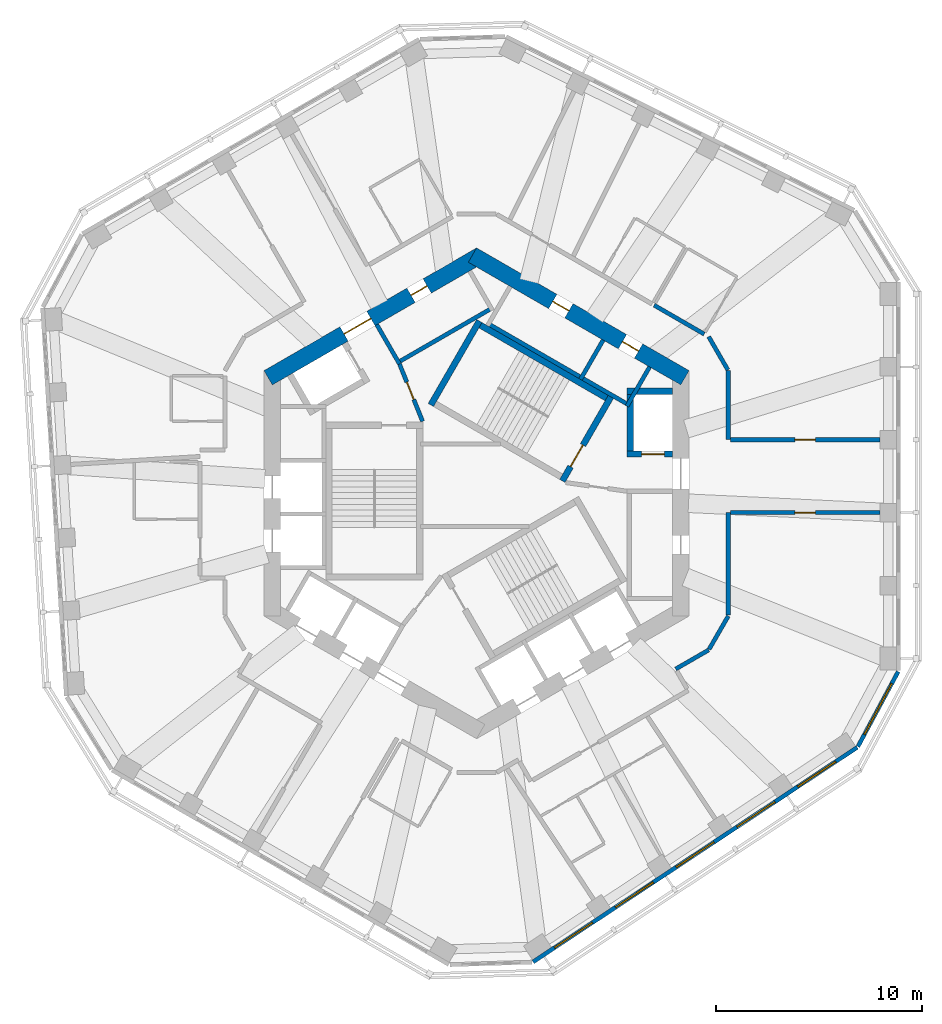
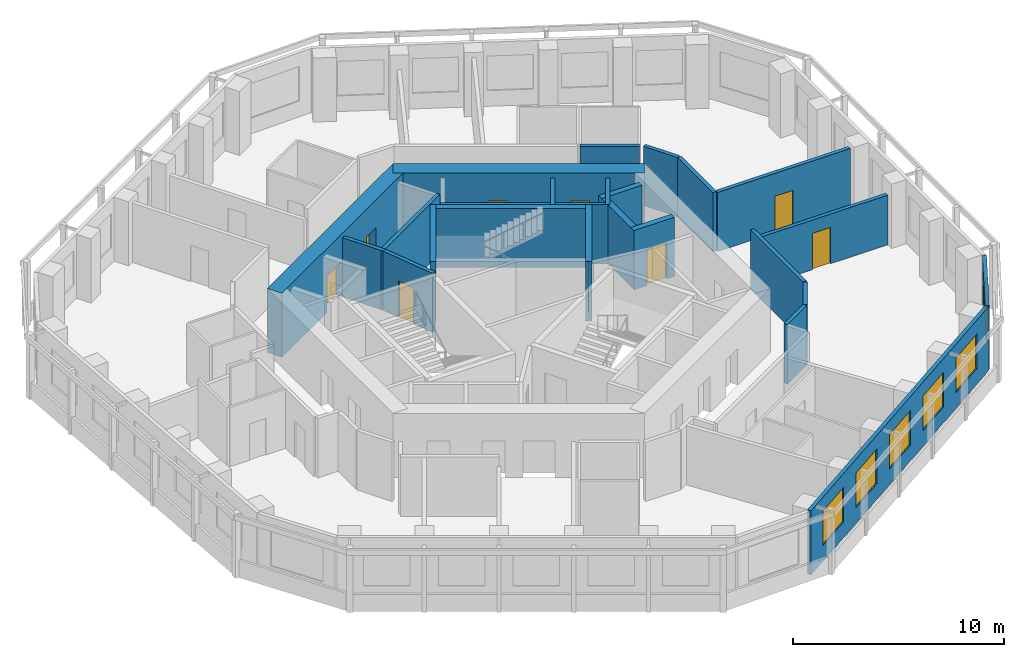
# One storey, part 6 of 11: 24 walls, 9 doors, 6 windows, 15 openings.
"""IFC4 building model written with IfcOpenShell, lengths in metres."""

from ifc_helpers import new_model, si_unit, direction, frame, frame_2d, origin, place, context, subcontext, project, spatial, rectangle, extrude, material, layer, layer_set, type_object, element, fill, save


model = new_model("IFC4")

# Units and contexts
model_context = context("Model", 3, precision=1e-05, world=origin(), true_north=direction((0.0, 1.0)))
body_context = subcontext(model_context, "Body", "Model", "MODEL_VIEW")
ifc_project = project(units=[si_unit("LENGTHUNIT", "METRE"), si_unit("AREAUNIT", "SQUARE_METRE"), si_unit("VOLUMEUNIT", "CUBIC_METRE"), si_unit("PLANEANGLEUNIT", "RADIAN"), si_unit("MASSUNIT", "GRAM", prefix="KILO")], contexts=[model_context])

# Site, building, storey
site_placement = place(None, origin())
site = spatial("IfcSite", under=ifc_project, at=site_placement, CompositionType="ELEMENT")
building_placement = place(site_placement, origin())
building = spatial("IfcBuilding", under=site, at=building_placement, Name="Vanh Sen Convention Tower", CompositionType="ELEMENT")
storey_placement = place(building_placement, frame((0.0, 0.0, 236.5)))
storey = spatial("IfcBuildingStorey", under=building, at=storey_placement, Name="L58", CompositionType="ELEMENT", Elevation=236.5)

# Wall, openings, doors
ifc_material_1 = material(Name="Concrete C60/75", Category="concrete")
ifc_layer_1 = layer(ifc_material_1, 0.800048828125)
ifc_layer_set_1 = layer_set([ifc_layer_1], Name="Concrete C60/75")
wall_type_1 = type_object("IfcWallType", Name="Core outer wall 800 C60/75", PredefinedType="SHEAR", material=ifc_layer_set_1)
wall_1_placement = place(storey_placement, frame((10.10009765625, 5.600341796875, 0.0), z_axis=(0.0, 0.0, 1.0), x_axis=(-0.866023897231, 0.500002609418, 0.0)))
wall_1 = element("IfcWall", 1, at=wall_1_placement, inside=storey, type_object=wall_type_1, Name="Core wall face NE L58", PredefinedType="SHEAR", context=body_context, shape_type="SweptSolid", body=[
    extrude(rectangle(XDim=11.8935546875, YDim=0.800048828125, at=frame_2d((5.94677734375, 0.0))), origin(), (0.0, 0.0, 1.0), 3.699951171875),
])
opening_1_placement = place(wall_1_placement, frame((2.5966796875, 0.0, 0.0)))
opening_1 = element("IfcOpeningElement", 2, at=opening_1_placement, cuts=wall_1, Name="Opening D56011", PredefinedType="OPENING", context=body_context, shape_type="SweptSolid", body=[
    extrude(rectangle(XDim=0.89990234375, YDim=2.10009765625, at=frame_2d((0.449951171875, 1.050048828125))), frame((0.0, 0.409912109375, 0.0), z_axis=(0.0, -1.0, 0.0), x_axis=(1.0, 0.0, 0.0)), (0.0, 0.0, 1.0), 0.820068359375),
])
opening_2_placement = place(wall_1_placement, frame((6.49658203125, 0.0, 0.0)))
opening_2 = element("IfcOpeningElement", 3, at=opening_2_placement, cuts=wall_1, Name="Opening D56012", PredefinedType="OPENING", context=body_context, shape_type="SweptSolid", body=[
    extrude(rectangle(XDim=0.89990234375, YDim=2.10009765625, at=frame_2d((0.449951171875, 1.050048828125))), frame((0.0, 0.409912109375, 0.0), z_axis=(0.0, -1.0, 0.0), x_axis=(1.0, 0.0, 0.0)), (0.0, 0.0, 1.0), 0.820068359375),
])
ifc_material_2 = material(Name="Steel S355", Category="steel")
door_type_1 = type_object("IfcDoorType", Name="Plant door 900", OperationType="SINGLE_SWING_LEFT", PredefinedType="DOOR", material=ifc_material_2)
door_1_placement = place(opening_1_placement, origin())
door_1 = element("IfcDoor", 4, at=door_1_placement, inside=storey, type_object=door_type_1, Name="Plant door D56011", OperationType="SINGLE_SWING_LEFT", OverallHeight=2.10009765625, OverallWidth=0.89990234375, PredefinedType="DOOR", context=body_context, shape_type="SweptSolid", body=[
    extrude(rectangle(XDim=0.89990234375, YDim=2.10009765625, at=frame_2d((0.449951171875, 1.050048828125))), frame((0.0, 0.02490234375, 0.0), z_axis=(0.0, -1.0, 0.0), x_axis=(1.0, 0.0, 0.0)), (0.0, 0.0, 1.0), 0.050048828125),
])
fill(opening_1, door_1)
door_2_placement = place(opening_2_placement, origin())
door_2 = element("IfcDoor", 5, at=door_2_placement, inside=storey, type_object=door_type_1, Name="Plant door D56012", OperationType="SINGLE_SWING_LEFT", OverallHeight=2.10009765625, OverallWidth=0.89990234375, PredefinedType="DOOR", context=body_context, shape_type="SweptSolid", body=[
    extrude(rectangle(XDim=0.89990234375, YDim=2.10009765625, at=frame_2d((0.449951171875, 1.050048828125))), frame((0.0, 0.02490234375, 0.0), z_axis=(0.0, -1.0, 0.0), x_axis=(1.0, 0.0, 0.0)), (0.0, 0.0, 1.0), 0.050048828125),
])
fill(opening_2, door_2)

wall_2_placement = place(storey_placement, frame((0.199951171875, 11.547119140625, 0.0), z_axis=(0.0, 0.0, 1.0), x_axis=(-0.866023897231, -0.500002609418, 0.0)))
wall_2 = element("IfcWall", 6, at=wall_2_placement, inside=storey, type_object=wall_type_1, Name="Core wall face NW L58", PredefinedType="SHEAR", context=body_context, shape_type="SweptSolid", body=[
    extrude(rectangle(XDim=11.8935546875, YDim=0.800048828125, at=frame_2d((5.94677734375, 0.0))), origin(), (0.0, 0.0, 1.0), 3.699951171875),
])
opening_3_placement = place(wall_2_placement, frame((6.146728515625, 0.0, 0.0)))
opening_3 = element("IfcOpeningElement", 7, at=opening_3_placement, cuts=wall_2, Name="Opening D56002", PredefinedType="OPENING", context=body_context, shape_type="SweptSolid", body=[
    extrude(rectangle(XDim=1.5, YDim=2.10009765625, at=frame_2d((0.75, 1.050048828125))), frame((0.0, 0.409912109375, 0.0), z_axis=(0.0, -1.0, 0.0), x_axis=(1.0, 0.0, 0.0)), (0.0, 0.0, 1.0), 0.820068359375),
])
opening_4_placement = place(wall_2_placement, frame((2.99658203125, 0.0, 0.0)))
opening_4 = element("IfcOpeningElement", 8, at=opening_4_placement, cuts=wall_2, Name="Opening D56013", PredefinedType="OPENING", context=body_context, shape_type="SweptSolid", body=[
    extrude(rectangle(XDim=0.89990234375, YDim=2.10009765625, at=frame_2d((0.449951171875, 1.050048828125))), frame((0.0, 0.409912109375, 0.0), z_axis=(0.0, -1.0, 0.0), x_axis=(1.0, 0.0, 0.0)), (0.0, 0.0, 1.0), 0.820068359375),
])
door_3_placement = place(opening_4_placement, origin())
door_3 = element("IfcDoor", 9, at=door_3_placement, inside=storey, type_object=door_type_1, Name="Plant door D56013", OperationType="SINGLE_SWING_LEFT", OverallHeight=2.10009765625, OverallWidth=0.89990234375, PredefinedType="DOOR", context=body_context, shape_type="SweptSolid", body=[
    extrude(rectangle(XDim=0.89990234375, YDim=2.10009765625, at=frame_2d((0.449951171875, 1.050048828125))), frame((0.0, 0.02490234375, 0.0), z_axis=(0.0, -1.0, 0.0), x_axis=(1.0, 0.0, 0.0)), (0.0, 0.0, 1.0), 0.050048828125),
])
fill(opening_4, door_3)
door_type_2 = type_object("IfcDoorType", Name="Stair lobby door 1500", OperationType="DOUBLE_DOOR_SINGLE_SWING", PredefinedType="DOOR", material=ifc_material_2)
door_4_placement = place(opening_3_placement, origin())
door_4 = element("IfcDoor", 10, at=door_4_placement, inside=storey, type_object=door_type_2, Name="Stair lobby door D56002", OperationType="DOUBLE_DOOR_SINGLE_SWING", OverallHeight=2.10009765625, OverallWidth=1.5, PredefinedType="DOOR", context=body_context, shape_type="SweptSolid", body=[
    extrude(rectangle(XDim=1.5, YDim=2.10009765625, at=frame_2d((0.75, 1.050048828125))), frame((0.0, 0.02490234375, 0.0), z_axis=(0.0, -1.0, 0.0), x_axis=(1.0, 0.0, 0.0)), (0.0, 0.0, 1.0), 0.050048828125),
])
fill(opening_3, door_4)

# Walls
ifc_material_3 = material(Name="Gypsum board on steel studs with mineral wool", Category="steel")
ifc_layer_2 = layer(ifc_material_3, 0.199951171875)
ifc_layer_set_2 = layer_set([ifc_layer_2], Name="Gypsum board on steel studs with mineral wool")
wall_type_2 = type_object("IfcWallType", Name="Corridor partition wall 200", PredefinedType="PARTITIONING", material=ifc_layer_set_2)
wall_3_placement = place(storey_placement, frame((9.651611328125, -8.514892578125, 0.0), z_axis=(0.0, 0.0, 1.0), x_axis=(0.866020375458, 0.500008709215, 0.0)))
element("IfcWall", 11, at=wall_3_placement, inside=storey, type_object=wall_type_2, Name="Corridor partition wall 200", PredefinedType="PARTITIONING", context=body_context, shape_type="SweptSolid", body=[
    extrude(rectangle(XDim=1.845703125, YDim=0.199951171875, at=frame_2d((0.9228515625, 0.0))), origin(), (0.0, 0.0, 1.0), 3.419921875),
])
wall_4_placement = place(storey_placement, frame((11.033447265625, 7.717041015625, 0.0), z_axis=(0.0, 0.0, 1.0), x_axis=(-0.865996816683, 0.500049511043, 0.0)))
element("IfcWall", 12, at=wall_4_placement, inside=storey, type_object=wall_type_2, Name="Corridor partition wall 200", PredefinedType="PARTITIONING", context=body_context, shape_type="SweptSolid", body=[
    extrude(rectangle(XDim=2.800048828125, YDim=0.199951171875, at=frame_2d((1.39990234375, 0.0))), origin(), (0.0, 0.0, 1.0), 3.419921875),
])
for number, where, z_axis, x_axis, name in (
    (13, (11.27001953125, -7.5576171875, 0.0), (0.0, 0.0, 1.0), (0.499964847546, 0.866045698112, 0.0), "Corridor partition wall 200"),
    (14, (12.179931640625, 5.981201171875, 0.0), (0.0, 0.0, 1.0), (-0.499964847546, 0.866045698112, 0.0), "Corridor partition wall 200"),
):
    element("IfcWall", number, at=place(storey_placement, frame(where, z_axis=z_axis, x_axis=x_axis)), inside=storey, type_object=wall_type_2, Name=name, PredefinedType="PARTITIONING", context=body_context, shape_type="SweptSolid", body=[
        extrude(rectangle(XDim=1.860107421875, YDim=0.199951171875, at=frame_2d((0.93017578125, 0.0))), origin(), (0.0, 0.0, 1.0), 3.419921875),
    ])
wall_5_placement = place(storey_placement, frame((12.199951171875, -5.90673828125, 0.0), z_axis=(0.0, 0.0, 1.0), x_axis=(0.0, 1.0, 0.0)))
element("IfcWall", 15, at=wall_5_placement, inside=storey, type_object=wall_type_2, Name="Corridor partition wall 200", PredefinedType="PARTITIONING", context=body_context, shape_type="SweptSolid", body=[
    extrude(rectangle(XDim=4.97119140625, YDim=0.199951171875, at=frame_2d((2.485595703125, 0.0))), origin(), (0.0, 0.0, 1.0), 3.419921875),
])
wall_6_placement = place(storey_placement, frame((12.199951171875, 2.59814453125, 0.0), z_axis=(0.0, 0.0, 1.0), x_axis=(0.0, 1.0, 0.0)))
element("IfcWall", 16, at=wall_6_placement, inside=storey, type_object=wall_type_2, Name="Corridor partition wall 200", PredefinedType="PARTITIONING", context=body_context, shape_type="SweptSolid", body=[
    extrude(rectangle(XDim=3.3486328125, YDim=0.199951171875, at=frame_2d((1.67431640625, 0.0))), origin(), (0.0, 0.0, 1.0), 3.419921875),
])

# Wall, opening, door
wall_7_placement = place(storey_placement, frame((12.300048828125, -0.935546875, 0.0), z_axis=(0.0, 0.0, 1.0), x_axis=(1.0, 0.0, 0.0)))
wall_7 = element("IfcWall", 17, at=wall_7_placement, inside=storey, type_object=wall_type_2, Name="Corridor partition wall 200", PredefinedType="PARTITIONING", context=body_context, shape_type="SweptSolid", body=[
    extrude(rectangle(XDim=7.25, YDim=0.199951171875, at=frame_2d((3.625, 0.0))), origin(), (0.0, 0.0, 1.0), 2.8701171875),
])
opening_5_placement = place(wall_7_placement, frame((3.125, 0.0, 0.0)))
opening_5 = element("IfcOpeningElement", 18, at=opening_5_placement, cuts=wall_7, Name="Opening D56118", PredefinedType="OPENING", context=body_context, shape_type="SweptSolid", body=[
    extrude(rectangle(XDim=1.0, YDim=2.10009765625, at=frame_2d((0.5, 1.050048828125))), frame((0.0, 0.10986328125, 0.0), z_axis=(0.0, -1.0, 0.0), x_axis=(1.0, 0.0, 0.0)), (0.0, 0.0, 1.0), 0.219970703125),
])
ifc_material_4 = material(Name="Timber fire door in steel frame", Category="steel")
door_type_3 = type_object("IfcDoorType", Name="Floor room door 1000", OperationType="SINGLE_SWING_LEFT", PredefinedType="DOOR", material=ifc_material_4)
door_5_placement = place(opening_5_placement, origin())
door_5 = element("IfcDoor", 19, at=door_5_placement, inside=storey, type_object=door_type_3, Name="Meeting and amenity room door D56118", OperationType="SINGLE_SWING_LEFT", OverallHeight=2.10009765625, OverallWidth=1.0, PredefinedType="DOOR", context=body_context, shape_type="SweptSolid", body=[
    extrude(rectangle(XDim=1.0, YDim=2.10009765625, at=frame_2d((0.5, 1.050048828125))), frame((0.0, 0.02490234375, 0.0), z_axis=(0.0, -1.0, 0.0), x_axis=(1.0, 0.0, 0.0)), (0.0, 0.0, 1.0), 0.050048828125),
])
fill(opening_5, door_5)

wall_8_placement = place(storey_placement, frame((19.550048828125, 2.59814453125, 0.0), z_axis=(0.0, 0.0, 1.0), x_axis=(-1.0, 0.0, 0.0)))
wall_8 = element("IfcWall", 20, at=wall_8_placement, inside=storey, type_object=wall_type_2, Name="Corridor partition wall 200", PredefinedType="PARTITIONING", context=body_context, shape_type="SweptSolid", body=[
    extrude(rectangle(XDim=7.25, YDim=0.199951171875, at=frame_2d((3.625, 0.0))), origin(), (0.0, 0.0, 1.0), 3.419921875),
])
opening_6_placement = place(wall_8_placement, frame((3.125, 0.0, 0.0)))
opening_6 = element("IfcOpeningElement", 21, at=opening_6_placement, cuts=wall_8, Name="Opening D56101", PredefinedType="OPENING", context=body_context, shape_type="SweptSolid", body=[
    extrude(rectangle(XDim=1.0, YDim=2.10009765625, at=frame_2d((0.5, 1.050048828125))), frame((0.0, 0.10986328125, 0.0), z_axis=(0.0, -1.0, 0.0), x_axis=(1.0, 0.0, 0.0)), (0.0, 0.0, 1.0), 0.219970703125),
])
ifc_material_5 = material(Name="Glazed fire door in steel frame", Category="steel")
door_type_4 = type_object("IfcDoorType", Name="Tenant entrance door 1000", OperationType="SINGLE_SWING_LEFT", PredefinedType="DOOR", material=ifc_material_5)
door_6_placement = place(opening_6_placement, origin())
door_6 = element("IfcDoor", 22, at=door_6_placement, inside=storey, type_object=door_type_4, Name="Tenant suite entrance door D56101", OperationType="SINGLE_SWING_LEFT", OverallHeight=2.10009765625, OverallWidth=1.0, PredefinedType="DOOR", context=body_context, shape_type="SweptSolid", body=[
    extrude(rectangle(XDim=1.0, YDim=2.10009765625, at=frame_2d((0.5, 1.050048828125))), frame((0.0, 0.02490234375, 0.0), z_axis=(0.0, -1.0, 0.0), x_axis=(1.0, 0.0, 0.0)), (0.0, 0.0, 1.0), 0.050048828125),
])
fill(opening_6, door_6)

# Wall, openings, windows
ifc_material_6 = material(Name="Insulated lightweight infill wall")
ifc_layer_3 = layer(ifc_material_6, 0.199951171875)
ifc_layer_set_3 = layer_set([ifc_layer_3], Name="Insulated lightweight infill wall")
wall_type_3 = type_object("IfcWallType", Name="External wall 200", PredefinedType="STANDARD", material=ifc_layer_set_3)
wall_9_placement = place(storey_placement, frame((2.739013671875, -22.7109375, 0.0), z_axis=(0.0, 0.0, 1.0), x_axis=(0.833885723098, 0.551937134838, 0.0)))
wall_9 = element("IfcWall", 23, at=wall_9_placement, inside=storey, type_object=wall_type_3, Name="External wall SE L58", PredefinedType="STANDARD", context=body_context, shape_type="SweptSolid", body=[
    extrude(rectangle(XDim=18.84130859375, YDim=0.199951171875, at=frame_2d((9.420654296875, 0.0))), origin(), (0.0, 0.0, 1.0), 3.699951171875),
])
opening_7_placement = place(wall_9_placement, frame((1.25244140625, 0.0, 0.89990234375)))
opening_7 = element("IfcOpeningElement", 24, at=opening_7_placement, cuts=wall_9, Name="Opening WO3-SE1", PredefinedType="OPENING", context=body_context, shape_type="SweptSolid", body=[
    extrude(rectangle(XDim=2.199951171875, YDim=2.0, at=frame_2d((1.10009765625, 1.0))), frame((0.0, 0.10986328125, 0.0), z_axis=(0.0, -1.0, 0.0), x_axis=(1.0, 0.0, 0.0)), (0.0, 0.0, 1.0), 0.219970703125),
])
opening_8_placement = place(wall_9_placement, frame((4.7861328125, 0.0, 0.89990234375)))
opening_8 = element("IfcOpeningElement", 25, at=opening_8_placement, cuts=wall_9, Name="Opening WO3-SE2", PredefinedType="OPENING", context=body_context, shape_type="SweptSolid", body=[
    extrude(rectangle(XDim=2.199951171875, YDim=2.0, at=frame_2d((1.10009765625, 1.0))), frame((0.0, 0.10986328125, 0.0), z_axis=(0.0, -1.0, 0.0), x_axis=(1.0, 0.0, 0.0)), (0.0, 0.0, 1.0), 0.219970703125),
])
opening_9_placement = place(wall_9_placement, frame((8.31982421875, 0.0, 0.89990234375)))
opening_9 = element("IfcOpeningElement", 26, at=opening_9_placement, cuts=wall_9, Name="Opening WO3-SE3", PredefinedType="OPENING", context=body_context, shape_type="SweptSolid", body=[
    extrude(rectangle(XDim=2.199951171875, YDim=2.0, at=frame_2d((1.10009765625, 1.0))), frame((0.0, 0.10986328125, 0.0), z_axis=(0.0, -1.0, 0.0), x_axis=(1.0, 0.0, 0.0)), (0.0, 0.0, 1.0), 0.219970703125),
])
opening_10_placement = place(wall_9_placement, frame((11.853515625, 0.0, 0.89990234375)))
opening_10 = element("IfcOpeningElement", 27, at=opening_10_placement, cuts=wall_9, Name="Opening WO3-SE4", PredefinedType="OPENING", context=body_context, shape_type="SweptSolid", body=[
    extrude(rectangle(XDim=2.199951171875, YDim=2.0, at=frame_2d((1.10009765625, 1.0))), frame((0.0, 0.10986328125, 0.0), z_axis=(0.0, -1.0, 0.0), x_axis=(1.0, 0.0, 0.0)), (0.0, 0.0, 1.0), 0.219970703125),
])
opening_11_placement = place(wall_9_placement, frame((15.386962890625, 0.0, 0.89990234375)))
opening_11 = element("IfcOpeningElement", 28, at=opening_11_placement, cuts=wall_9, Name="Opening WO3-SE5", PredefinedType="OPENING", context=body_context, shape_type="SweptSolid", body=[
    extrude(rectangle(XDim=2.199951171875, YDim=2.0, at=frame_2d((1.10009765625, 1.0))), frame((0.0, 0.10986328125, 0.0), z_axis=(0.0, -1.0, 0.0), x_axis=(1.0, 0.0, 0.0)), (0.0, 0.0, 1.0), 0.219970703125),
])
ifc_material_7 = material(Name="Aluminium frame with clear low-emissivity glass", Category="aluminium")
window_type_1 = type_object("IfcWindowType", Name="Office window 2200 x 2000", PartitioningType="SINGLE_PANEL", PredefinedType="WINDOW", material=ifc_material_7)
window_1_placement = place(opening_7_placement, origin())
window_1 = element("IfcWindow", 29, at=window_1_placement, inside=storey, type_object=window_type_1, Name="Window WO3-SE1", OverallHeight=2.0, OverallWidth=2.199951171875, PartitioningType="SINGLE_PANEL", PredefinedType="WINDOW", context=body_context, shape_type="SweptSolid", body=[
    extrude(rectangle(XDim=2.199951171875, YDim=2.0, at=frame_2d((1.10009765625, 1.0))), frame((0.0, 0.030029296875, 0.0), z_axis=(0.0, -1.0, 0.0), x_axis=(1.0, 0.0, 0.0)), (0.0, 0.0, 1.0), 0.06005859375),
])
fill(opening_7, window_1)
window_2_placement = place(opening_8_placement, origin())
window_2 = element("IfcWindow", 30, at=window_2_placement, inside=storey, type_object=window_type_1, Name="Window WO3-SE2", OverallHeight=2.0, OverallWidth=2.199951171875, PartitioningType="SINGLE_PANEL", PredefinedType="WINDOW", context=body_context, shape_type="SweptSolid", body=[
    extrude(rectangle(XDim=2.199951171875, YDim=2.0, at=frame_2d((1.10009765625, 1.0))), frame((0.0, 0.030029296875, 0.0), z_axis=(0.0, -1.0, 0.0), x_axis=(1.0, 0.0, 0.0)), (0.0, 0.0, 1.0), 0.06005859375),
])
fill(opening_8, window_2)
window_3_placement = place(opening_9_placement, origin())
window_3 = element("IfcWindow", 31, at=window_3_placement, inside=storey, type_object=window_type_1, Name="Window WO3-SE3", OverallHeight=2.0, OverallWidth=2.199951171875, PartitioningType="SINGLE_PANEL", PredefinedType="WINDOW", context=body_context, shape_type="SweptSolid", body=[
    extrude(rectangle(XDim=2.199951171875, YDim=2.0, at=frame_2d((1.10009765625, 1.0))), frame((0.0, 0.030029296875, 0.0), z_axis=(0.0, -1.0, 0.0), x_axis=(1.0, 0.0, 0.0)), (0.0, 0.0, 1.0), 0.06005859375),
])
fill(opening_9, window_3)
window_4_placement = place(opening_10_placement, origin())
window_4 = element("IfcWindow", 32, at=window_4_placement, inside=storey, type_object=window_type_1, Name="Window WO3-SE4", OverallHeight=2.0, OverallWidth=2.199951171875, PartitioningType="SINGLE_PANEL", PredefinedType="WINDOW", context=body_context, shape_type="SweptSolid", body=[
    extrude(rectangle(XDim=2.199951171875, YDim=2.0, at=frame_2d((1.10009765625, 1.0))), frame((0.0, 0.030029296875, 0.0), z_axis=(0.0, -1.0, 0.0), x_axis=(1.0, 0.0, 0.0)), (0.0, 0.0, 1.0), 0.06005859375),
])
fill(opening_10, window_4)
window_5_placement = place(opening_11_placement, origin())
window_5 = element("IfcWindow", 33, at=window_5_placement, inside=storey, type_object=window_type_1, Name="Window WO3-SE5", OverallHeight=2.0, OverallWidth=2.199951171875, PartitioningType="SINGLE_PANEL", PredefinedType="WINDOW", context=body_context, shape_type="SweptSolid", body=[
    extrude(rectangle(XDim=2.199951171875, YDim=2.0, at=frame_2d((1.10009765625, 1.0))), frame((0.0, 0.030029296875, 0.0), z_axis=(0.0, -1.0, 0.0), x_axis=(1.0, 0.0, 0.0)), (0.0, 0.0, 1.0), 0.06005859375),
])
fill(opening_11, window_5)

# Wall, opening, window
wall_10_placement = place(storey_placement, frame((18.4833984375, -12.275634765625, 0.0), z_axis=(0.0, 0.0, 1.0), x_axis=(0.473267675015, 0.880918672629, 0.0)))
wall_10 = element("IfcWall", 34, at=wall_10_placement, inside=storey, type_object=wall_type_3, Name="External wall CH6 L58", PredefinedType="STANDARD", context=body_context, shape_type="SweptSolid", body=[
    extrude(rectangle(XDim=4.1298828125, YDim=0.199951171875, at=frame_2d((2.06494140625, 0.0))), origin(), (0.0, 0.0, 1.0), 3.699951171875),
])
opening_12_placement = place(wall_10_placement, frame((0.6650390625, 0.0, 0.89990234375)))
opening_12 = element("IfcOpeningElement", 35, at=opening_12_placement, cuts=wall_10, Name="Opening WO4-CH61", PredefinedType="OPENING", context=body_context, shape_type="SweptSolid", body=[
    extrude(rectangle(XDim=2.800048828125, YDim=2.0, at=frame_2d((1.39990234375, 1.0))), frame((0.0, 0.10986328125, 0.0), z_axis=(0.0, -1.0, 0.0), x_axis=(1.0, 0.0, 0.0)), (0.0, 0.0, 1.0), 0.219970703125),
])
window_type_2 = type_object("IfcWindowType", Name="Office window 2800 x 2000", PartitioningType="SINGLE_PANEL", PredefinedType="WINDOW", material=ifc_material_7)
window_6_placement = place(opening_12_placement, origin())
window_6 = element("IfcWindow", 36, at=window_6_placement, inside=storey, type_object=window_type_2, Name="Window WO4-CH61", OverallHeight=2.0, OverallWidth=2.800048828125, PartitioningType="SINGLE_PANEL", PredefinedType="WINDOW", context=body_context, shape_type="SweptSolid", body=[
    extrude(rectangle(XDim=2.800048828125, YDim=2.0, at=frame_2d((1.39990234375, 1.0))), frame((0.0, 0.030029296875, 0.0), z_axis=(0.0, -1.0, 0.0), x_axis=(1.0, 0.0, 0.0)), (0.0, 0.0, 1.0), 0.06005859375),
])
fill(opening_12, window_6)

# Wall, opening, door
ifc_layer_4 = layer(ifc_material_1, 0.300048828125)
ifc_layer_set_4 = layer_set([ifc_layer_4], Name="Concrete C60/75")
wall_type_4 = type_object("IfcWallType", Name="Fire-fighting lift shaft wall 300", PredefinedType="SHEAR", material=ifc_layer_set_4)
wall_11_placement = place(storey_placement, frame((7.300048828125, 1.89990234375, 0.0), z_axis=(0.0, 0.0, 1.0), x_axis=(1.0, 0.0, 0.0)))
wall_11 = element("IfcWall", 37, at=wall_11_placement, inside=storey, type_object=wall_type_4, Name="Fire-fighting lift shaft wall L58", PredefinedType="SHEAR", context=body_context, shape_type="SweptSolid", body=[
    extrude(rectangle(XDim=2.199951171875, YDim=0.300048828125, at=frame_2d((1.10009765625, 0.0))), origin(), (0.0, 0.0, 1.0), 3.419921875),
])
opening_13_placement = place(wall_11_placement, frame((0.699951171875, 0.0, 0.0)))
opening_13 = element("IfcOpeningElement", 38, at=opening_13_placement, cuts=wall_11, Name="Opening LD-FF1", PredefinedType="OPENING", context=body_context, shape_type="SweptSolid", body=[
    extrude(rectangle(XDim=1.10009765625, YDim=2.10009765625, at=frame_2d((0.550048828125, 1.050048828125))), frame((0.0, 0.159912109375, 0.0), z_axis=(0.0, -1.0, 0.0), x_axis=(1.0, 0.0, 0.0)), (0.0, 0.0, 1.0), 0.320068359375),
])
ifc_material_8 = material(Name="Stainless steel", Category="steel")
door_type_5 = type_object("IfcDoorType", Name="Fire-fighting lift landing door 1100", OperationType="DOUBLE_DOOR_SLIDING", PredefinedType="DOOR", material=ifc_material_8)
door_7_placement = place(opening_13_placement, origin())
door_7 = element("IfcDoor", 39, at=door_7_placement, inside=storey, type_object=door_type_5, Name="Lift FF1 landing door LD-FF1", OperationType="DOUBLE_DOOR_SLIDING", OverallHeight=2.10009765625, OverallWidth=1.10009765625, PredefinedType="DOOR", context=body_context, shape_type="SweptSolid", body=[
    extrude(rectangle(XDim=1.10009765625, YDim=2.10009765625, at=frame_2d((0.550048828125, 1.050048828125))), frame((0.0, 0.02490234375, 0.0), z_axis=(0.0, -1.0, 0.0), x_axis=(1.0, 0.0, 0.0)), (0.0, 0.0, 1.0), 0.050048828125),
])
fill(opening_13, door_7)

# Walls
wall_12_placement = place(storey_placement, frame((7.449951171875, 1.75, 0.0), z_axis=(0.0, 0.0, 1.0), x_axis=(0.0, 1.0, 0.0)))
element("IfcWall", 40, at=wall_12_placement, inside=storey, type_object=wall_type_4, Name="Fire-fighting lift shaft wall L58", PredefinedType="SHEAR", context=body_context, shape_type="SweptSolid", body=[
    extrude(rectangle(XDim=3.35009765625, YDim=0.300048828125, at=frame_2d((1.675048828125, 0.0))), origin(), (0.0, 0.0, 1.0), 3.419921875),
])
wall_13_placement = place(storey_placement, frame((7.300048828125, 4.949951171875, 0.0), z_axis=(0.0, 0.0, 1.0), x_axis=(1.0, 0.0, 0.0)))
element("IfcWall", 41, at=wall_13_placement, inside=storey, type_object=wall_type_4, Name="Fire-fighting lift shaft wall L58", PredefinedType="SHEAR", context=body_context, shape_type="SweptSolid", body=[
    extrude(rectangle(XDim=2.199951171875, YDim=0.300048828125, at=frame_2d((1.10009765625, 0.0))), origin(), (0.0, 0.0, 1.0), 3.419921875),
])
ifc_material_9 = material(Name="Concrete C40/50", Category="concrete")
ifc_layer_5 = layer(ifc_material_9, 0.199951171875)
ifc_layer_set_5 = layer_set([ifc_layer_5], Name="Concrete C40/50")
wall_type_5 = type_object("IfcWallType", Name="Lift shaft wall 200", PredefinedType="PARTITIONING", material=ifc_layer_set_5)
wall_14_placement = place(storey_placement, frame((7.423828125, 4.258544921875, 0.0), z_axis=(0.0, 0.0, 1.0), x_axis=(-0.866026010844, 0.49999894854, 0.0)))
element("IfcWall", 42, at=wall_14_placement, inside=storey, type_object=wall_type_5, Name="Lift shaft wall L58", PredefinedType="PARTITIONING", context=body_context, shape_type="SweptSolid", body=[
    extrude(rectangle(XDim=8.0, YDim=0.199951171875, at=frame_2d((4.0, 0.0))), origin(), (0.0, 0.0, 1.0), 3.419921875),
])
for number, where, z_axis, x_axis, name in (
    (43, (7.287353515625, 4.221923828125, 0.0), (0.0, 0.0, 1.0), (0.499946605688, 0.86605622881, 0.0), "Lift shaft wall L58"),
    (44, (5.03564453125, 5.52197265625, 0.0), (0.0, 0.0, 1.0), (0.499946605688, 0.86605622881, 0.0), "Lift shaft wall L58"),
):
    element("IfcWall", number, at=place(storey_placement, frame(where, z_axis=z_axis, x_axis=x_axis)), inside=storey, type_object=wall_type_5, Name=name, PredefinedType="PARTITIONING", context=body_context, shape_type="SweptSolid", body=[
        extrude(rectangle(XDim=2.199951171875, YDim=0.199951171875, at=frame_2d((1.10009765625, 0.0))), origin(), (0.0, 0.0, 1.0), 3.419921875),
    ])
wall_15_placement = place(storey_placement, frame((0.80322265625, 9.008544921875, 0.0), z_axis=(0.0, 0.0, 1.0), x_axis=(-0.866028230842, -0.499995103361, 0.0)))
element("IfcWall", 45, at=wall_15_placement, inside=storey, type_object=wall_type_5, Name="Lift shaft wall L58", PredefinedType="PARTITIONING", context=body_context, shape_type="SweptSolid", body=[
    extrude(rectangle(XDim=5.39990234375, YDim=0.199951171875, at=frame_2d((2.699951171875, 0.0))), origin(), (0.0, 0.0, 1.0), 3.419921875),
])
wall_16_placement = place(storey_placement, frame((-3.736572265625, 6.27197265625, 0.0), z_axis=(0.0, 0.0, 1.0), x_axis=(-0.50002983664, 0.866008176907, 0.0)))
element("IfcWall", 46, at=wall_16_placement, inside=storey, type_object=wall_type_5, Name="Lift shaft wall L58", PredefinedType="PARTITIONING", context=body_context, shape_type="SweptSolid", body=[
    extrude(rectangle(XDim=2.199951171875, YDim=0.199951171875, at=frame_2d((1.10009765625, 0.0))), origin(), (0.0, 0.0, 1.0), 3.419921875),
])

# Wall, opening, door
ifc_layer_6 = layer(ifc_material_9, 0.199951171875)
ifc_layer_set_6 = layer_set([ifc_layer_6], Name="Concrete C40/50")
wall_type_6 = type_object("IfcWallType", Name="Stair lobby wall 200", PredefinedType="PARTITIONING", material=ifc_layer_set_6)
wall_17_placement = place(storey_placement, frame((-2.614990234375, 3.487060546875, 0.0), z_axis=(0.0, 0.0, 1.0), x_axis=(-0.373576831041, 0.92759924068, 0.0)))
wall_17 = element("IfcWall", 47, at=wall_17_placement, inside=storey, type_object=wall_type_6, Name="Stair lobby wall L58", PredefinedType="PARTITIONING", context=body_context, shape_type="SweptSolid", body=[
    extrude(rectangle(XDim=3.002197265625, YDim=0.199951171875, at=frame_2d((1.5009765625, 0.0))), origin(), (0.0, 0.0, 1.0), 3.419921875),
])
opening_14_placement = place(wall_17_placement, frame((1.14990234375, 0.0, 0.0)))
opening_14 = element("IfcOpeningElement", 48, at=opening_14_placement, cuts=wall_17, Name="Opening D56008", PredefinedType="OPENING", context=body_context, shape_type="SweptSolid", body=[
    extrude(rectangle(XDim=0.89990234375, YDim=2.10009765625, at=frame_2d((0.449951171875, 1.050048828125))), frame((0.0, 0.10986328125, 0.0), z_axis=(0.0, -1.0, 0.0), x_axis=(1.0, 0.0, 0.0)), (0.0, 0.0, 1.0), 0.219970703125),
])
door_8_placement = place(opening_14_placement, origin())
door_8 = element("IfcDoor", 49, at=door_8_placement, inside=storey, type_object=door_type_1, Name="Plant door D56008", OperationType="SINGLE_SWING_LEFT", OverallHeight=2.10009765625, OverallWidth=0.89990234375, PredefinedType="DOOR", context=body_context, shape_type="SweptSolid", body=[
    extrude(rectangle(XDim=0.89990234375, YDim=2.10009765625, at=frame_2d((0.449951171875, 1.050048828125))), frame((0.0, 0.02490234375, 0.0), z_axis=(0.0, -1.0, 0.0), x_axis=(1.0, 0.0, 0.0)), (0.0, 0.0, 1.0), 0.050048828125),
])
fill(opening_14, door_8)

ifc_layer_7 = layer(ifc_material_1, 0.300048828125)
ifc_layer_set_7 = layer_set([ifc_layer_7], Name="Concrete C60/75")
wall_type_7 = type_object("IfcWallType", Name="Stair wall 300", PredefinedType="SHEAR", material=ifc_layer_set_7)
wall_18_placement = place(storey_placement, frame((4.157958984375, 0.601806640625, 0.0), z_axis=(0.0, 0.0, 1.0), x_axis=(0.499977259774, 0.866038532462, 0.0)))
wall_18 = element("IfcWall", 50, at=wall_18_placement, inside=storey, type_object=wall_type_7, Name="Stair wall L58", PredefinedType="SHEAR", context=body_context, shape_type="SweptSolid", body=[
    extrude(rectangle(XDim=4.699951171875, YDim=0.300048828125, at=frame_2d((2.35009765625, 0.0))), origin(), (0.0, 0.0, 1.0), 3.419921875),
])
opening_15_placement = place(wall_18_placement, frame((0.800048828125, 0.0, 0.0)))
opening_15 = element("IfcOpeningElement", 51, at=opening_15_placement, cuts=wall_18, Name="Opening D56004", PredefinedType="OPENING", context=body_context, shape_type="SweptSolid", body=[
    extrude(rectangle(XDim=1.199951171875, YDim=2.10009765625, at=frame_2d((0.60009765625, 1.050048828125))), frame((0.0, 0.159912109375, 0.0), z_axis=(0.0, -1.0, 0.0), x_axis=(1.0, 0.0, 0.0)), (0.0, 0.0, 1.0), 0.320068359375),
])
door_type_6 = type_object("IfcDoorType", Name="Stair door 1200", OperationType="SINGLE_SWING_RIGHT", PredefinedType="DOOR", material=ifc_material_2)
door_9_placement = place(opening_15_placement, origin())
door_9 = element("IfcDoor", 52, at=door_9_placement, inside=storey, type_object=door_type_6, Name="Stair ST1 door D56004", OperationType="SINGLE_SWING_RIGHT", OverallHeight=2.10009765625, OverallWidth=1.199951171875, PredefinedType="DOOR", context=body_context, shape_type="SweptSolid", body=[
    extrude(rectangle(XDim=1.199951171875, YDim=2.10009765625, at=frame_2d((0.60009765625, 1.050048828125))), frame((0.0, 0.02490234375, 0.0), z_axis=(0.0, -1.0, 0.0), x_axis=(1.0, 0.0, 0.0)), (0.0, 0.0, 1.0), 0.050048828125),
])
fill(opening_15, door_9)

# Walls
wall_19_placement = place(storey_placement, frame((-2.216064453125, 4.28173828125, 0.0), z_axis=(0.0, 0.0, 1.0), x_axis=(0.499977259774, 0.866038532462, 0.0)))
element("IfcWall", 53, at=wall_19_placement, inside=storey, type_object=wall_type_7, Name="Stair wall L58", PredefinedType="SHEAR", context=body_context, shape_type="SweptSolid", body=[
    extrude(rectangle(XDim=4.699951171875, YDim=0.300048828125, at=frame_2d((2.35009765625, 0.0))), origin(), (0.0, 0.0, 1.0), 3.419921875),
])
wall_20_placement = place(storey_placement, frame((6.302978515625, 4.6171875, 0.0), z_axis=(0.0, 0.0, 1.0), x_axis=(-0.866027801685, 0.499995846692, 0.0)))
element("IfcWall", 54, at=wall_20_placement, inside=storey, type_object=wall_type_7, Name="Stair wall L58", PredefinedType="SHEAR", context=body_context, shape_type="SweptSolid", body=[
    extrude(rectangle(XDim=7.06005859375, YDim=0.300048828125, at=frame_2d((3.530029296875, 0.0))), origin(), (0.0, 0.0, 1.0), 3.419921875),
])

save(model, "model.ifc")
